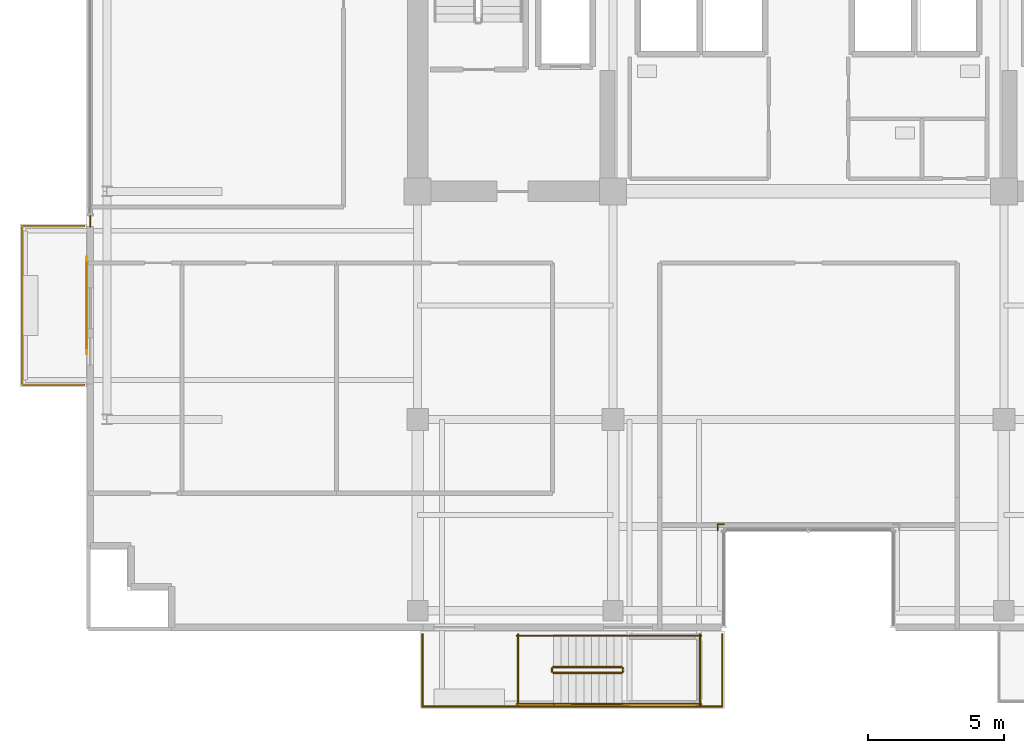
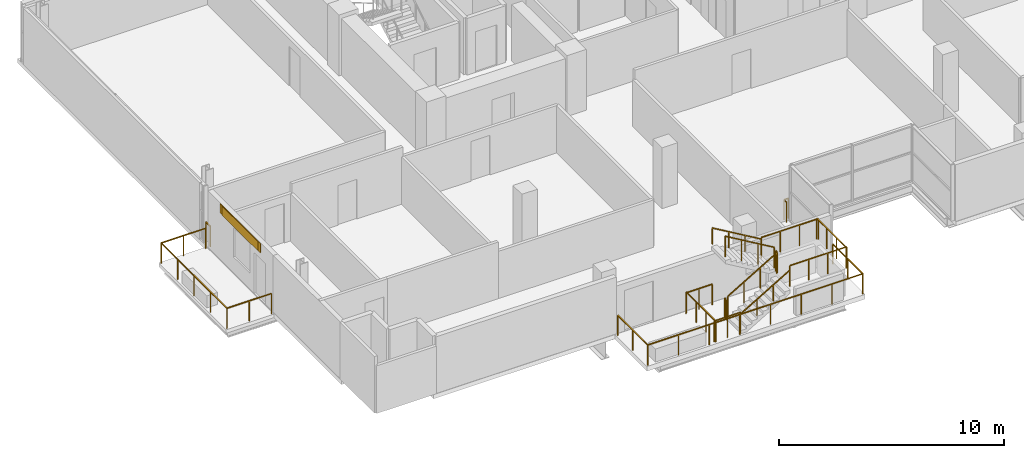
# One storey, part 20 of 23: 17 railings, 1 covering, 1 shading device.
"""IFC4 building model written with IfcOpenShell, lengths in metres."""

from ifc_helpers import new_model, si_unit, direction, frame, origin, origin_2d, place, context, subcontext, project, spatial, rectangle, extrude, source, transform, mapped, material, layer, layer_set, type_object, element, save


model = new_model("IFC4")

# Units and contexts
model_context = context("Model", 3, precision=1e-05, world=origin(), true_north=direction((0.0, 1.0)))
body_context = subcontext(model_context, "Body", "Model", "MODEL_VIEW")
ifc_project = project(units=[si_unit("LENGTHUNIT", "METRE"), si_unit("AREAUNIT", "SQUARE_METRE"), si_unit("VOLUMEUNIT", "CUBIC_METRE"), si_unit("PLANEANGLEUNIT", "RADIAN"), si_unit("MASSUNIT", "GRAM", prefix="KILO")], contexts=[model_context])

# Site, building, storey
site_placement = place(None, origin())
site = spatial("IfcSite", under=ifc_project, at=site_placement, CompositionType="ELEMENT")
building_placement = place(site_placement, origin())
building = spatial("IfcBuilding", under=site, at=building_placement, Name="Zarnakvel Exchange Tower", CompositionType="ELEMENT")
storey_placement = place(building_placement, frame((0.0, 0.0, 146.199951171875)))
storey = spatial("IfcBuildingStorey", under=building, at=storey_placement, Name="L40", CompositionType="ELEMENT", Elevation=146.199951171875)

# Railings
ifc_material_1 = material(Name="Architectural Bronze Anodised Aluminium", Category="aluminium")
railing_type_1 = type_object("IfcRailingType", Name="GR-02", PredefinedType="GUARDRAIL", material=ifc_material_1)
railing_1_placement = place(storey_placement, frame((-26.679931640625, -8.320068359375, -0.034912109375)))
element("IfcRailing", 1, at=railing_1_placement, inside=storey, type_object=railing_type_1, Name="L40 Balcony Guardrail BAL-L40-W", PredefinedType="GUARDRAIL", context=body_context, shape_type="SweptSolid", body=[
    extrude(rectangle(XDim=0.048095703125, YDim=0.048095703125, at=origin_2d()), frame((0.0, 0.0, 1.09619140625), z_axis=(-1.0, 0.0, 0.0), x_axis=(0.0, -1.0, 0.0)), (0.0, 0.0, 1.0), 2.2900390625),
    extrude(rectangle(XDim=0.048095703125, YDim=0.048095703125, at=origin_2d()), frame((-2.2900390625, 0.0, 1.09619140625), z_axis=(0.0, 1.0, 0.0), x_axis=(-1.0, 0.0, 0.0)), (0.0, 0.0, 1.0), 5.840087890625),
    extrude(rectangle(XDim=0.048095703125, YDim=0.048095703125, at=origin_2d()), frame((-2.2900390625, 5.840087890625, 1.09619140625), z_axis=(1.0, 0.0, 0.0), x_axis=(0.0, 1.0, 0.0)), (0.0, 0.0, 1.0), 2.2900390625),
    extrude(rectangle(XDim=0.0419921875, YDim=0.0419921875, at=origin_2d()), origin(), (0.0, 0.0, 1.0), 1.072021484375),
    extrude(rectangle(XDim=0.0419921875, YDim=0.0419921875, at=origin_2d()), frame((-1.14501953125, 0.0, 0.0)), (0.0, 0.0, 1.0), 1.072021484375),
    extrude(rectangle(XDim=0.0419921875, YDim=0.0419921875, at=origin_2d()), frame((-2.2900390625, 0.0, 0.0)), (0.0, 0.0, 1.0), 1.072021484375),
    extrude(rectangle(XDim=0.0419921875, YDim=0.0419921875, at=origin_2d()), frame((-2.2900390625, 1.4599609375, 0.0)), (0.0, 0.0, 1.0), 1.072021484375),
    extrude(rectangle(XDim=0.0419921875, YDim=0.0419921875, at=origin_2d()), frame((-2.2900390625, 2.919921875, 0.0)), (0.0, 0.0, 1.0), 1.072021484375),
    extrude(rectangle(XDim=0.0419921875, YDim=0.0419921875, at=origin_2d()), frame((-2.2900390625, 4.380126953125, 0.0)), (0.0, 0.0, 1.0), 1.072021484375),
    extrude(rectangle(XDim=0.0419921875, YDim=0.0419921875, at=origin_2d()), frame((-2.2900390625, 5.840087890625, 0.0)), (0.0, 0.0, 1.0), 1.072021484375),
    extrude(rectangle(XDim=0.0419921875, YDim=0.0419921875, at=origin_2d()), frame((-1.14501953125, 5.840087890625, 0.0)), (0.0, 0.0, 1.0), 1.072021484375),
    extrude(rectangle(XDim=0.0419921875, YDim=0.0419921875, at=origin_2d()), frame((0.0, 5.840087890625, 0.0)), (0.0, 0.0, 1.0), 1.072021484375),
])
railing_2_placement = place(storey_placement, frame((-14.219970703125, -17.52001953125, 0.0)))
element("IfcRailing", 2, at=railing_2_placement, inside=storey, type_object=railing_type_1, Name="L40 Spiral Sky-Terrace Perimeter Guardrail", PredefinedType="GUARDRAIL", context=body_context, shape_type="SweptSolid", body=[
    extrude(rectangle(XDim=0.048095703125, YDim=0.048095703125, at=origin_2d()), frame((0.0, 0.0, 1.09619140625), z_axis=(0.0, -1.0, 0.0), x_axis=(1.0, 0.0, 0.0)), (0.0, 0.0, 1.0), 2.659912109375),
    extrude(rectangle(XDim=0.048095703125, YDim=0.048095703125, at=origin_2d()), frame((0.0, -2.659912109375, 1.09619140625), z_axis=(1.0, 0.0, 0.0), x_axis=(0.0, 1.0, 0.0)), (0.0, 0.0, 1.0), 11.0400390625),
    extrude(rectangle(XDim=0.048095703125, YDim=0.048095703125, at=origin_2d()), frame((11.0400390625, -2.659912109375, 1.09619140625), z_axis=(0.0, 1.0, 0.0), x_axis=(-1.0, 0.0, 0.0)), (0.0, 0.0, 1.0), 2.659912109375),
    extrude(rectangle(XDim=0.0419921875, YDim=0.0419921875, at=origin_2d()), origin(), (0.0, 0.0, 1.0), 1.072021484375),
    extrude(rectangle(XDim=0.0419921875, YDim=0.0419921875, at=origin_2d()), frame((0.0, -1.330078125, 0.0)), (0.0, 0.0, 1.0), 1.072021484375),
    extrude(rectangle(XDim=0.0419921875, YDim=0.0419921875, at=origin_2d()), frame((0.0, -2.659912109375, 0.0)), (0.0, 0.0, 1.0), 1.072021484375),
    extrude(rectangle(XDim=0.0419921875, YDim=0.0419921875, at=origin_2d()), frame((1.5771484375, -2.659912109375, 0.0)), (0.0, 0.0, 1.0), 1.072021484375),
    extrude(rectangle(XDim=0.0419921875, YDim=0.0419921875, at=origin_2d()), frame((3.154296875, -2.659912109375, 0.0)), (0.0, 0.0, 1.0), 1.072021484375),
    extrude(rectangle(XDim=0.0419921875, YDim=0.0419921875, at=origin_2d()), frame((4.7314453125, -2.659912109375, 0.0)), (0.0, 0.0, 1.0), 1.072021484375),
    extrude(rectangle(XDim=0.0419921875, YDim=0.0419921875, at=origin_2d()), frame((6.30859375, -2.659912109375, 0.0)), (0.0, 0.0, 1.0), 1.072021484375),
    extrude(rectangle(XDim=0.0419921875, YDim=0.0419921875, at=origin_2d()), frame((7.8857421875, -2.659912109375, 0.0)), (0.0, 0.0, 1.0), 1.072021484375),
    extrude(rectangle(XDim=0.0419921875, YDim=0.0419921875, at=origin_2d()), frame((9.462890625, -2.659912109375, 0.0)), (0.0, 0.0, 1.0), 1.072021484375),
    extrude(rectangle(XDim=0.0419921875, YDim=0.0419921875, at=origin_2d()), frame((11.0400390625, -2.659912109375, 0.0)), (0.0, 0.0, 1.0), 1.072021484375),
    extrude(rectangle(XDim=0.0419921875, YDim=0.0419921875, at=origin_2d()), frame((11.0400390625, -1.330078125, 0.0)), (0.0, 0.0, 1.0), 1.072021484375),
    extrude(rectangle(XDim=0.0419921875, YDim=0.0419921875, at=origin_2d()), frame((11.0400390625, 0.0, 0.0)), (0.0, 0.0, 1.0), 1.072021484375),
])
railing_3_placement = place(storey_placement, frame((-26.4599609375, -2.5, 0.0)))
element("IfcRailing", 3, at=railing_3_placement, inside=storey, type_object=railing_type_1, Name="L40 Corner Spandrel Balustrade #2", PredefinedType="GUARDRAIL", context=body_context, shape_type="SweptSolid", body=[
    extrude(rectangle(XDim=0.048095703125, YDim=0.048095703125, at=origin_2d()), frame((0.0, 0.0, 1.09619140625), z_axis=(0.0, 1.0, 0.0), x_axis=(-1.0, 0.0, 0.0)), (0.0, 0.0, 1.0), 0.39990234375),
    extrude(rectangle(XDim=0.0419921875, YDim=0.0419921875, at=origin_2d()), origin(), (0.0, 0.0, 1.0), 1.072021484375),
    extrude(rectangle(XDim=0.0419921875, YDim=0.0419921875, at=origin_2d()), frame((0.0, 0.39990234375, 0.0)), (0.0, 0.0, 1.0), 1.072021484375),
])
railing_4_placement = place(storey_placement, frame((-3.1201171875, -13.4599609375, 0.0)))
element("IfcRailing", 4, at=railing_4_placement, inside=storey, type_object=railing_type_1, Name="L40 Corner Spandrel Balustrade #19", PredefinedType="GUARDRAIL", context=body_context, shape_type="SweptSolid", body=[
    extrude(rectangle(XDim=0.048095703125, YDim=0.048095703125, at=origin_2d()), frame((0.0, 0.0, 1.09619140625), z_axis=(-1.0, 0.0, 0.0), x_axis=(0.0, -1.0, 0.0)), (0.0, 0.0, 1.0), 0.219970703125),
    extrude(rectangle(XDim=0.0419921875, YDim=0.0419921875, at=origin_2d()), origin(), (0.0, 0.0, 1.0), 1.072021484375),
    extrude(rectangle(XDim=0.0419921875, YDim=0.0419921875, at=origin_2d()), frame((-0.219970703125, 0.0, 0.0)), (0.0, 0.0, 1.0), 1.072021484375),
])
railing_5_placement = place(storey_placement, frame((-3.340087890625, -13.4599609375, 0.0)))
element("IfcRailing", 5, at=railing_5_placement, inside=storey, type_object=railing_type_1, Name="L40 Corner Spandrel Balustrade #20", PredefinedType="GUARDRAIL", context=body_context, shape_type="SweptSolid", body=[
    extrude(rectangle(XDim=0.048095703125, YDim=0.048095703125, at=origin_2d()), frame((0.0, 0.0, 1.09619140625), z_axis=(0.0, -1.0, 0.0), x_axis=(1.0, 0.0, 0.0)), (0.0, 0.0, 1.0), 0.219970703125),
    extrude(rectangle(XDim=0.0419921875, YDim=0.0419921875, at=origin_2d()), origin(), (0.0, 0.0, 1.0), 1.072021484375),
    extrude(rectangle(XDim=0.0419921875, YDim=0.0419921875, at=origin_2d()), frame((0.0, -0.219970703125, 0.0)), (0.0, 0.0, 1.0), 1.072021484375),
])
ifc_material_2 = material(Name="Brushed Stainless Steel", Category="steel")
railing_type_2 = type_object("IfcRailingType", Name="HR-01", PredefinedType="HANDRAIL", material=ifc_material_2)
railing_6_placement = place(storey_placement, frame((-9.39990234375, -20.090087890625, 0.1650390625)))
element("IfcRailing", 6, at=railing_6_placement, inside=storey, type_object=railing_type_2, Name="L40 ST-11 stair handrail 1", PredefinedType="HANDRAIL", context=body_context, shape_type="SweptSolid", body=[
    extrude(rectangle(XDim=0.048095703125, YDim=0.048095703125, at=origin_2d()), frame((0.0, 0.0, 0.8759765625), z_axis=(0.86152411907, 0.0, 0.507716645641), x_axis=(0.0, 1.0, 0.0)), (0.0, 0.0, 1.0), 2.925048828125),
    extrude(rectangle(XDim=0.0419921875, YDim=0.0419921875, at=origin_2d()), origin(), (0.0, 0.0, 1.0), 0.851806640625),
    extrude(rectangle(XDim=0.0419921875, YDim=0.0419921875, at=origin_2d()), frame((0.840087890625, 0.0, 0.4951171875)), (0.0, 0.0, 1.0), 0.851806640625),
    extrude(rectangle(XDim=0.0419921875, YDim=0.0419921875, at=origin_2d()), frame((1.679931640625, 0.0, 0.989990234375)), (0.0, 0.0, 1.0), 0.851806640625),
    extrude(rectangle(XDim=0.0419921875, YDim=0.0419921875, at=origin_2d()), frame((2.52001953125, 0.0, 1.485107421875)), (0.0, 0.0, 1.0), 0.851806640625),
])
railing_7_placement = place(storey_placement, frame((-6.8798828125, -17.570068359375, 1.81494140625)))
element("IfcRailing", 7, at=railing_7_placement, inside=storey, type_object=railing_type_2, Name="L40 ST-11 stair handrail 2", PredefinedType="HANDRAIL", context=body_context, shape_type="SweptSolid", body=[
    extrude(rectangle(XDim=0.048095703125, YDim=0.048095703125, at=origin_2d()), frame((0.0, 0.0, 0.8759765625), z_axis=(-0.86152411907, 0.0, 0.507716645641), x_axis=(0.0, -1.0, 0.0)), (0.0, 0.0, 1.0), 2.925048828125),
    extrude(rectangle(XDim=0.0419921875, YDim=0.0419921875, at=origin_2d()), origin(), (0.0, 0.0, 1.0), 0.851806640625),
    extrude(rectangle(XDim=0.0419921875, YDim=0.0419921875, at=origin_2d()), frame((-0.840087890625, 0.0, 0.4951171875)), (0.0, 0.0, 1.0), 0.851806640625),
    extrude(rectangle(XDim=0.0419921875, YDim=0.0419921875, at=origin_2d()), frame((-1.679931640625, 0.0, 0.989990234375)), (0.0, 0.0, 1.0), 0.851806640625),
    extrude(rectangle(XDim=0.0419921875, YDim=0.0419921875, at=origin_2d()), frame((-2.52001953125, 0.0, 1.485107421875)), (0.0, 0.0, 1.0), 0.851806640625),
])
railing_type_3 = type_object("IfcRailingType", Name="SG-01", PredefinedType="GUARDRAIL", material=ifc_material_1)
railing_8_placement = place(storey_placement, frame((-9.39990234375, -18.93994140625, 0.1650390625)))
element("IfcRailing", 8, at=railing_8_placement, inside=storey, type_object=railing_type_3, Name="L40 ST-11 stair guard 1", PredefinedType="GUARDRAIL", context=body_context, shape_type="SweptSolid", body=[
    extrude(rectangle(XDim=0.048095703125, YDim=0.048095703125, at=origin_2d()), frame((0.0, 0.0, 1.1259765625), z_axis=(0.86152411907, 0.0, 0.507716645641), x_axis=(0.0, 1.0, 0.0)), (0.0, 0.0, 1.0), 2.925048828125),
    extrude(rectangle(XDim=0.0419921875, YDim=0.0419921875, at=origin_2d()), origin(), (0.0, 0.0, 1.0), 1.101806640625),
    extrude(rectangle(XDim=0.0419921875, YDim=0.0419921875, at=origin_2d()), frame((0.840087890625, 0.0, 0.4951171875)), (0.0, 0.0, 1.0), 1.101806640625),
    extrude(rectangle(XDim=0.0419921875, YDim=0.0419921875, at=origin_2d()), frame((1.679931640625, 0.0, 0.989990234375)), (0.0, 0.0, 1.0), 1.101806640625),
    extrude(rectangle(XDim=0.0419921875, YDim=0.0419921875, at=origin_2d()), frame((2.52001953125, 0.0, 1.485107421875)), (0.0, 0.0, 1.0), 1.101806640625),
])
railing_9_placement = place(storey_placement, frame((-6.830078125, -18.889892578125, 1.650146484375)))
element("IfcRailing", 9, at=railing_9_placement, inside=storey, type_object=railing_type_3, Name="L40 ST-11 stair guard 2", PredefinedType="GUARDRAIL", context=body_context, shape_type="SweptSolid", body=[
    extrude(rectangle(XDim=0.048095703125, YDim=0.048095703125, at=origin_2d()), frame((0.0, 0.0, 1.1259765625), z_axis=(0.0, 1.0, 0.0), x_axis=(-1.0, 0.0, 0.0)), (0.0, 0.0, 1.0), 0.119873046875),
    extrude(rectangle(XDim=0.0419921875, YDim=0.0419921875, at=origin_2d()), origin(), (0.0, 0.0, 1.0), 1.101806640625),
    extrude(rectangle(XDim=0.0419921875, YDim=0.0419921875, at=origin_2d()), frame((0.0, 0.119873046875, 0.0)), (0.0, 0.0, 1.0), 1.101806640625),
])
for number, where, name in (
    (10, (-6.8798828125, -20.090087890625, 1.650146484375), "L40 ST-11 stair guard 3"),
    (11, (-6.8798828125, -17.570068359375, 1.650146484375), "L40 ST-11 stair guard 4"),
):
    element("IfcRailing", number, at=place(storey_placement, frame(where)), inside=storey, type_object=railing_type_3, Name=name, PredefinedType="GUARDRAIL", context=body_context, shape_type="SweptSolid", body=[
        extrude(rectangle(XDim=0.048095703125, YDim=0.048095703125, at=origin_2d()), frame((0.0, 0.0, 1.1259765625), z_axis=(1.0, 0.0, 0.0), x_axis=(0.0, 1.0, 0.0)), (0.0, 0.0, 1.0), 2.929931640625),
        extrude(rectangle(XDim=0.0419921875, YDim=0.0419921875, at=origin_2d()), origin(), (0.0, 0.0, 1.0), 1.101806640625),
        extrude(rectangle(XDim=0.0419921875, YDim=0.0419921875, at=origin_2d()), frame((0.9765625, 0.0, 0.0)), (0.0, 0.0, 1.0), 1.101806640625),
        extrude(rectangle(XDim=0.0419921875, YDim=0.0419921875, at=origin_2d()), frame((1.953369140625, 0.0, 0.0)), (0.0, 0.0, 1.0), 1.101806640625),
        extrude(rectangle(XDim=0.0419921875, YDim=0.0419921875, at=origin_2d()), frame((2.929931640625, 0.0, 0.0)), (0.0, 0.0, 1.0), 1.101806640625),
    ])
railing_10_placement = place(storey_placement, frame((-4.0, -20.139892578125, 1.650146484375)))
element("IfcRailing", 12, at=railing_10_placement, inside=storey, type_object=railing_type_3, Name="L40 ST-11 stair guard 5", PredefinedType="GUARDRAIL", context=body_context, shape_type="SweptSolid", body=[
    extrude(rectangle(XDim=0.048095703125, YDim=0.048095703125, at=origin_2d()), frame((0.0, 0.0, 1.1259765625), z_axis=(0.0, 1.0, 0.0), x_axis=(-1.0, 0.0, 0.0)), (0.0, 0.0, 1.0), 2.619873046875),
    extrude(rectangle(XDim=0.0419921875, YDim=0.0419921875, at=origin_2d()), origin(), (0.0, 0.0, 1.0), 1.101806640625),
    extrude(rectangle(XDim=0.0419921875, YDim=0.0419921875, at=origin_2d()), frame((0.0, 0.873291015625, 0.0)), (0.0, 0.0, 1.0), 1.101806640625),
    extrude(rectangle(XDim=0.0419921875, YDim=0.0419921875, at=origin_2d()), frame((0.0, 1.74658203125, 0.0)), (0.0, 0.0, 1.0), 1.101806640625),
    extrude(rectangle(XDim=0.0419921875, YDim=0.0419921875, at=origin_2d()), frame((0.0, 2.619873046875, 0.0)), (0.0, 0.0, 1.0), 1.101806640625),
])
railing_11_placement = place(storey_placement, frame((-6.8798828125, -18.719970703125, 1.81494140625)))
element("IfcRailing", 13, at=railing_11_placement, inside=storey, type_object=railing_type_3, Name="L40 ST-11 stair guard 6", PredefinedType="GUARDRAIL", context=body_context, shape_type="SweptSolid", body=[
    extrude(rectangle(XDim=0.048095703125, YDim=0.048095703125, at=origin_2d()), frame((0.0, 0.0, 1.1259765625), z_axis=(-0.86152411907, 0.0, 0.507716645641), x_axis=(0.0, -1.0, 0.0)), (0.0, 0.0, 1.0), 2.925048828125),
    extrude(rectangle(XDim=0.0419921875, YDim=0.0419921875, at=origin_2d()), origin(), (0.0, 0.0, 1.0), 1.101806640625),
    extrude(rectangle(XDim=0.0419921875, YDim=0.0419921875, at=origin_2d()), frame((-0.840087890625, 0.0, 0.4951171875)), (0.0, 0.0, 1.0), 1.101806640625),
    extrude(rectangle(XDim=0.0419921875, YDim=0.0419921875, at=origin_2d()), frame((-1.679931640625, 0.0, 0.989990234375)), (0.0, 0.0, 1.0), 1.101806640625),
    extrude(rectangle(XDim=0.0419921875, YDim=0.0419921875, at=origin_2d()), frame((-2.52001953125, 0.0, 1.485107421875)), (0.0, 0.0, 1.0), 1.101806640625),
])
railing_12_placement = place(storey_placement, frame((-9.449951171875, -18.889892578125, 0.0)))
element("IfcRailing", 14, at=railing_12_placement, inside=storey, type_object=railing_type_3, Name="L40 ST-11 stair guard 7", PredefinedType="GUARDRAIL", context=body_context, shape_type="SweptSolid", body=[
    extrude(rectangle(XDim=0.048095703125, YDim=0.048095703125, at=origin_2d()), frame((0.0, 0.0, 1.1259765625), z_axis=(0.0, 1.0, 0.0), x_axis=(-1.0, 0.0, 0.0)), (0.0, 0.0, 1.0), 0.119873046875),
    extrude(rectangle(XDim=0.0419921875, YDim=0.0419921875, at=origin_2d()), origin(), (0.0, 0.0, 1.0), 1.101806640625),
    extrude(rectangle(XDim=0.0419921875, YDim=0.0419921875, at=origin_2d()), frame((0.0, 0.119873046875, 0.0)), (0.0, 0.0, 1.0), 1.101806640625),
])
for number, where, name in (
    (15, (-10.75, -20.090087890625, 0.0), "L40 ST-11 stair guard 8"),
    (16, (-10.75, -17.570068359375, 0.0), "L40 ST-11 stair guard 9"),
):
    element("IfcRailing", number, at=place(storey_placement, frame(where)), inside=storey, type_object=railing_type_3, Name=name, PredefinedType="GUARDRAIL", context=body_context, shape_type="SweptSolid", body=[
        extrude(rectangle(XDim=0.048095703125, YDim=0.048095703125, at=origin_2d()), frame((0.0, 0.0, 1.1259765625), z_axis=(1.0, 0.0, 0.0), x_axis=(0.0, 1.0, 0.0)), (0.0, 0.0, 1.0), 1.35009765625),
        extrude(rectangle(XDim=0.0419921875, YDim=0.0419921875, at=origin_2d()), origin(), (0.0, 0.0, 1.0), 1.101806640625),
        extrude(rectangle(XDim=0.0419921875, YDim=0.0419921875, at=origin_2d()), frame((0.675048828125, 0.0, 0.0)), (0.0, 0.0, 1.0), 1.101806640625),
        extrude(rectangle(XDim=0.0419921875, YDim=0.0419921875, at=origin_2d()), frame((1.35009765625, 0.0, 0.0)), (0.0, 0.0, 1.0), 1.101806640625),
    ])
railing_13_placement = place(storey_placement, frame((-10.699951171875, -20.139892578125, 0.0)))
element("IfcRailing", 17, at=railing_13_placement, inside=storey, type_object=railing_type_3, Name="L40 ST-11 stair guard 10", PredefinedType="GUARDRAIL", context=body_context, shape_type="SweptSolid", body=[
    extrude(rectangle(XDim=0.048095703125, YDim=0.048095703125, at=origin_2d()), frame((0.0, 0.0, 1.1259765625), z_axis=(0.0, 1.0, 0.0), x_axis=(-1.0, 0.0, 0.0)), (0.0, 0.0, 1.0), 2.619873046875),
    extrude(rectangle(XDim=0.0419921875, YDim=0.0419921875, at=origin_2d()), origin(), (0.0, 0.0, 1.0), 1.101806640625),
    extrude(rectangle(XDim=0.0419921875, YDim=0.0419921875, at=origin_2d()), frame((0.0, 0.873291015625, 0.0)), (0.0, 0.0, 1.0), 1.101806640625),
    extrude(rectangle(XDim=0.0419921875, YDim=0.0419921875, at=origin_2d()), frame((0.0, 1.74658203125, 0.0)), (0.0, 0.0, 1.0), 1.101806640625),
    extrude(rectangle(XDim=0.0419921875, YDim=0.0419921875, at=origin_2d()), frame((0.0, 2.619873046875, 0.0)), (0.0, 0.0, 1.0), 1.101806640625),
])

# Shading device
ifc_material_3 = material(Name="Perforated Architectural Bronze Screen", Category="aluminium")
ifc_layer_1 = layer(ifc_material_3, 0.044921875)
ifc_layer_set_1 = layer_set([ifc_layer_1], Name="Perforated Architectural Bronze Screen")
shading_device_type = type_object("IfcShadingDeviceType", Name="SS-01", PredefinedType="JALOUSIE", material=ifc_layer_set_1)
shared_shape_1 = source(origin(), body_context, "Body", "SweptSolid", [
    extrude(rectangle(XDim=3.199951171875, YDim=0.044921875, at=origin_2d()), origin(), (0.0, 0.0, 1.0), 0.4951171875),
])
shading_device_placement = place(storey_placement, frame((-26.6005859375, -5.39990234375, 2.56005859375), z_axis=(0.0, 0.0, 1.0), x_axis=(0.0, 1.0, 0.0)))
element("IfcShadingDevice", 18, at=shading_device_placement, inside=storey, type_object=shading_device_type, Name="L40 Bronze Solar Shading Screen SS-01", PredefinedType="JALOUSIE", context=body_context, shape_type="MappedRepresentation", body=[
    mapped(shared_shape_1, transform((0.0, 0.0, 0.0), x_axis=(1.0, 0.0, 0.0), y_axis=(0.0, 1.0, 0.0), z_axis=(0.0, 0.0, 1.0), scale=1.0)),
])

# Covering
ifc_material_4 = material(Name="Glazed Turquoise Ceramic Architectural Tile", Category="ceramic")
ifc_layer_2 = layer(ifc_material_4, 0.028076171875)
ifc_layer_set_2 = layer_set([ifc_layer_2], Name="Glazed Turquoise Ceramic Architectural Tile")
covering_type = type_object("IfcCoveringType", Name="CL-01", PredefinedType="CLADDING", material=ifc_layer_set_2)
shared_shape_2 = source(origin(), body_context, "Body", "SweptSolid", [
    extrude(rectangle(XDim=3.60009765625, YDim=0.028076171875, at=origin_2d()), origin(), (0.0, 0.0, 1.0), 0.4951171875),
])
covering_placement = place(storey_placement, frame((-26.592041015625, -5.39990234375, 2.56005859375), z_axis=(0.0, 0.0, 1.0), x_axis=(0.0, 1.0, 0.0)))
element("IfcCovering", 19, at=covering_placement, inside=storey, type_object=covering_type, Name="L40 Ceramic Spandrel Tilework CL-01", PredefinedType="CLADDING", context=body_context, shape_type="MappedRepresentation", body=[
    mapped(shared_shape_2, transform((0.0, 0.0, 0.0), x_axis=(1.0, 0.0, 0.0), y_axis=(0.0, 1.0, 0.0), z_axis=(0.0, 0.0, 1.0), scale=1.0)),
])

save(model, "model.ifc")
